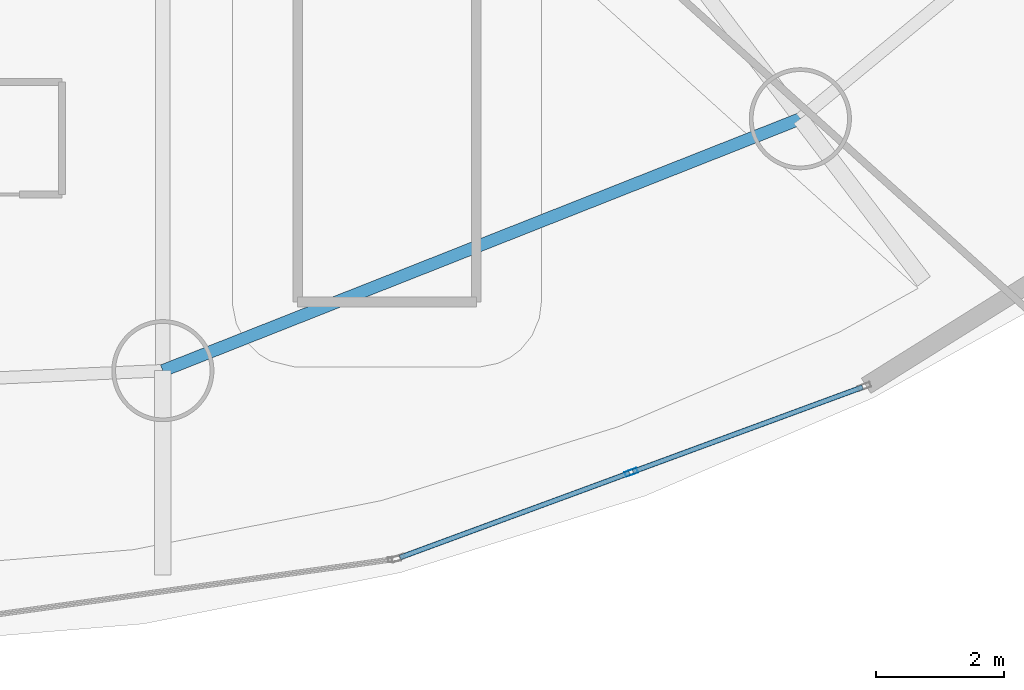
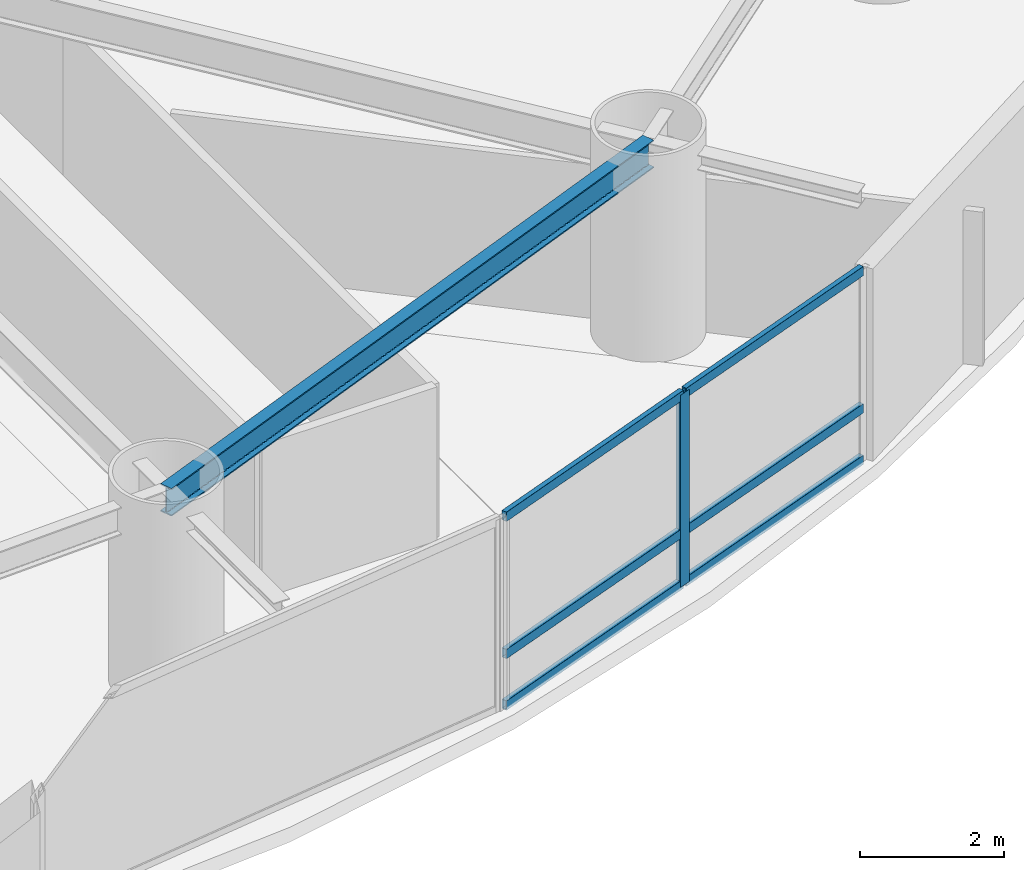
# One storey, part 9 of 30: 7 members, 1 beam, 1 element without a shape of its own.
"""IFC4 building model written with IfcOpenShell, lengths in metres."""

import ifcopenshell
import ifcopenshell.guid

model = None  # the IFC model being written
_history = None  # IfcOwnerHistory: only IFC2X3 demands one
_inside = {}  # id of a spatial element -> (the spatial element, [elements in it])
_under = {}  # id of a project, library or spatial element -> (it, [spatial elements below it])
_declared = {}  # id of a project -> (the project, [libraries it declares])
_typed = {}  # id of a type object -> (the type object, [elements of that type])
_made_of = {}  # id of a material, layer set ... -> (it, [elements and type objects made of it])


def new_model(schema):
    """Start an empty IFC model of exactly this schema.

    Asked for "IFC4X3", IfcOpenShell would pick the latest addendum, in which some entities
    have other attributes; the version numbers below select the first issue.
    IFC2X3 requires an IfcOwnerHistory on every rooted entity: one is made here for all.
    """
    global model, _history
    if schema == "IFC4X3":
        model = ifcopenshell.file(schema_version=(4, 3, 0, 0))
    else:
        model = ifcopenshell.file(schema=schema)
    _inside.clear()
    _under.clear()
    _declared.clear()
    _typed.clear()
    _made_of.clear()
    _history = None
    if model.schema == "IFC2X3":
        org = make("IfcOrganization", Name="unknown")
        user = make(
            "IfcPersonAndOrganization",
            ThePerson=make("IfcPerson", FamilyName="unknown"),
            TheOrganization=org,
        )
        app = make(
            "IfcApplication",
            ApplicationDeveloper=org,
            Version="unknown",
            ApplicationFullName="unknown",
            ApplicationIdentifier="unknown",
        )
        _history = make(
            "IfcOwnerHistory",
            OwningUser=user,
            OwningApplication=app,
            ChangeAction="ADDED",
            CreationDate=0,
        )
    return model


def make(cls, **values):
    """One entity of the class cls with the attributes given. An attribute that is None is left unset."""
    return model.create_entity(
        cls, **{name: value for name, value in values.items() if value is not None}
    )


def rooted(cls, **values):
    """An entity with a GlobalId (a new one), such as an element, a storey or a relation."""
    return make(cls, GlobalId=ifcopenshell.guid.new(), OwnerHistory=_history, **values)


def si_unit(unit_type, name, prefix=None):
    """IfcSIUnit, for example si_unit("LENGTHUNIT", "METRE", prefix="MILLI")."""
    return make("IfcSIUnit", UnitType=unit_type, Prefix=prefix, Name=name)


def assignment(units):
    """IfcUnitAssignment: the units of a project."""
    return None if units is None else make("IfcUnitAssignment", Units=units)


def point(xyz):
    """IfcCartesianPoint."""
    return None if xyz is None else make("IfcCartesianPoint", Coordinates=xyz)


def direction(xyz):
    """IfcDirection."""
    return None if xyz is None else make("IfcDirection", DirectionRatios=xyz)


def frame(location, z_axis=None, x_axis=None):
    """IfcAxis2Placement3D, a coordinate frame: its origin and axes. An axis left out is left unset."""
    return make(
        "IfcAxis2Placement3D",
        Location=point(location),
        Axis=direction(z_axis),
        RefDirection=direction(x_axis),
    )


def frame_2d(location, x_axis=None):
    """IfcAxis2Placement2D, a coordinate frame in the plane: its origin and x axis."""
    return make(
        "IfcAxis2Placement2D", Location=point(location), RefDirection=direction(x_axis)
    )


def origin():
    """The frame at (0, 0, 0) with its axes left unset."""
    return frame((0.0, 0.0, 0.0))


def origin_2d():
    """The frame at (0, 0) in the plane with its x axis left unset."""
    return frame_2d((0.0, 0.0))


def place(relative_to, where):
    """IfcLocalPlacement: puts the frame where relative to a parent placement (None: the world)."""
    return make(
        "IfcLocalPlacement", PlacementRelTo=relative_to, RelativePlacement=where
    )


def context(
    kind, dimensions, precision=None, world=None, true_north=None, identifier=None
):
    """IfcGeometricRepresentationContext, for example the 3D "Model" context."""
    return make(
        "IfcGeometricRepresentationContext",
        ContextIdentifier=identifier,
        ContextType=kind,
        CoordinateSpaceDimension=dimensions,
        Precision=precision,
        WorldCoordinateSystem=world,
        TrueNorth=true_north,
    )


def subcontext(parent, identifier, kind, view, scale=None):
    """IfcGeometricRepresentationSubContext, for example "Body" below "Model"."""
    return make(
        "IfcGeometricRepresentationSubContext",
        ContextIdentifier=identifier,
        ContextType=kind,
        ParentContext=parent,
        TargetScale=scale,
        TargetView=view,
    )


def project(units=None, contexts=None):
    """IfcProject with its units and contexts."""
    return rooted(
        "IfcProject",
        Name="project",
        RepresentationContexts=contexts,
        UnitsInContext=assignment(units),
    )


def spatial(cls, under=None, at=None, **own):
    """A site, building, storey or space (cls), placed at a placement, below another one or the project."""
    s = rooted(cls, ObjectPlacement=at, **own)
    if under is not None:
        _under.setdefault(under.id(), (under, []))[1].append(s)
    return s


def profile(cls, at=None, kind="AREA", **sizes):
    """A parametric profile (cls). Its sizes go by their IFC names, for example OverallWidth=200.0."""
    return make(cls, ProfileType=kind, Position=at, **sizes)


def hollow_rectangle(**sizes):
    """IfcRectangleHollowProfileDef."""
    return profile("IfcRectangleHollowProfileDef", **sizes)


def i_section(**sizes):
    """IfcIShapeProfileDef."""
    return profile("IfcIShapeProfileDef", **sizes)


def extrude(swept, where, along, depth):
    """IfcExtrudedAreaSolid: the profile swept, set in the frame where, extruded along a direction by depth."""
    return make(
        "IfcExtrudedAreaSolid",
        SweptArea=swept,
        Position=where,
        ExtrudedDirection=direction(along),
        Depth=depth,
    )


def shape(context_of_items, identifier, shape_type, items):
    """IfcShapeRepresentation: the items that make up one representation, for example the "Body"."""
    return make(
        "IfcShapeRepresentation",
        ContextOfItems=context_of_items,
        RepresentationIdentifier=identifier,
        RepresentationType=shape_type,
        Items=items,
    )


def material(Name=None, Category=None):
    """IfcMaterial."""
    return make("IfcMaterial", Name=Name, Category=Category)


def layer(
    of_material, thickness, ventilated=None, Name=None, Category=None, Priority=None
):
    """IfcMaterialLayer: one layer of a wall or slab, of a material (None: an air gap)."""
    return make(
        "IfcMaterialLayer",
        Material=of_material,
        LayerThickness=thickness,
        IsVentilated=ventilated,
        Name=Name,
        Category=Category,
        Priority=Priority,
    )


def layer_set(layers, Name=None):
    """IfcMaterialLayerSet."""
    return make("IfcMaterialLayerSet", MaterialLayers=layers, LayerSetName=Name)


def material_profile(
    of_material, cross_section, Name=None, Category=None, Priority=None
):
    """IfcMaterialProfile: a cross section and its material."""
    return make(
        "IfcMaterialProfile",
        Name=Name,
        Material=of_material,
        Profile=cross_section,
        Priority=Priority,
        Category=Category,
    )


def profile_set(profiles, Name=None, composite=None):
    """IfcMaterialProfileSet."""
    return make(
        "IfcMaterialProfileSet",
        Name=Name,
        MaterialProfiles=profiles,
        CompositeProfile=composite,
    )


def made_of(thing, what):
    """Note that an element or type object is made of a material, layer set ...; save() writes the relation."""
    if what is not None:
        _made_of.setdefault(what.id(), (what, []))[1].append(thing)
    return thing


def type_object(cls, material=None, **own):
    """A type object (cls), such as IfcWallType, which elements share."""
    return made_of(rooted(cls, **own), material)


def element(
    cls,
    number,
    at=None,
    inside=None,
    cuts=None,
    type_object=None,
    material=None,
    context=None,
    identifier="Body",
    shape_type=None,
    held_by="IfcProductDefinitionShape",
    body=None,
    shapes=None,
    **own,
):
    """One element of the class cls, such as IfcWall. Its Tag is "e" and its number.

    at: its placement. inside: the storey or other place that contains it. cuts: it is an
    opening in that element (IfcRelVoidsElement). A single representation is given by context,
    identifier, shape_type and body (its items); several are given by shapes. held_by: the class
    of the entity that holds the representations. save() writes the other relations.
    """
    e = rooted(cls, Tag="e%d" % number, ObjectPlacement=at, **own)
    if body is not None:
        shapes = [shape(context, identifier, shape_type, body)]
    if shapes is not None:
        e.Representation = make(held_by, Representations=shapes)
    if inside is not None:
        _inside.setdefault(inside.id(), (inside, []))[1].append(e)
    if cuts is not None:
        rooted(
            "IfcRelVoidsElement", RelatingBuildingElement=cuts, RelatedOpeningElement=e
        )
    if type_object is not None:
        _typed.setdefault(type_object.id(), (type_object, []))[1].append(e)
    return made_of(e, material)


def aggregate(whole, parts):
    """IfcRelAggregates: a whole, such as a stair, and the parts it consists of."""
    return rooted("IfcRelAggregates", RelatingObject=whole, RelatedObjects=parts)


def save(model, path):
    """Write the relations noted so far, then the file.

    IfcRelAggregates (storeys below a building ...), IfcRelContainedInSpatialStructure (elements
    in a storey), IfcRelDefinesByType, IfcRelAssociatesMaterial and IfcRelDeclares: one each for
    every whole, place, type object, material and project.
    """
    for whole, parts in _under.values():
        aggregate(whole, parts)
    for where, things in _inside.values():
        rooted(
            "IfcRelContainedInSpatialStructure",
            RelatedElements=things,
            RelatingStructure=where,
        )
    for kind, things in _typed.values():
        rooted("IfcRelDefinesByType", RelatedObjects=things, RelatingType=kind)
    for what, things in _made_of.values():
        rooted("IfcRelAssociatesMaterial", RelatedObjects=things, RelatingMaterial=what)
    for by, libraries in _declared.values():
        rooted("IfcRelDeclares", RelatingContext=by, RelatedDefinitions=libraries)
    model.write(path)


model = new_model("IFC4")

# Units and contexts
model_context = context("Model", 3, precision=1e-05, world=origin(), true_north=direction((0.0, 1.0)))
body_context = subcontext(model_context, "Body", "Model", "MODEL_VIEW")
ifc_project = project(units=[si_unit("LENGTHUNIT", "METRE"), si_unit("AREAUNIT", "SQUARE_METRE"), si_unit("VOLUMEUNIT", "CUBIC_METRE"), si_unit("PLANEANGLEUNIT", "RADIAN"), si_unit("MASSUNIT", "GRAM", prefix="KILO")], contexts=[model_context])

# Site, building, storey
site_placement = place(None, origin())
site = spatial("IfcSite", under=ifc_project, at=site_placement, CompositionType="ELEMENT")
building_placement = place(site_placement, origin())
building = spatial("IfcBuilding", under=site, at=building_placement, Name="Bramvorn Convention Spire", CompositionType="ELEMENT")
storey_placement = place(building_placement, frame((0.0, 0.0, 86.89990234375)))
storey = spatial("IfcBuildingStorey", under=building, at=storey_placement, Name="L20", CompositionType="ELEMENT", Elevation=86.89990234375)

# Beam
ifc_material_1 = material(Name="Steel CSA G40.21 Grade 350 (350W)", Category="steel")
ifc_material_profile_1 = material_profile(ifc_material_1, i_section(OverallWidth=0.194091796875, OverallDepth=0.468994140625, WebThickness=0.0126953125, FlangeThickness=0.0205078125, FilletRadius=0.01806640625, at=origin_2d()))
ifc_profile_set_1 = profile_set([ifc_material_profile_1], Name="Steel CSA G40.21 Grade 350 (350W) - W460X106")
beam_type = type_object("IfcBeamType", Name="BM-W460X106", PredefinedType="SPANDREL", material=ifc_profile_set_1)
beam_placement = place(storey_placement, frame((46.23779296875, 5.42333984375, 3.015625), z_axis=(0.93000950609, 0.367535465749, 0.0), x_axis=(-0.367535465749, 0.93000950609, 0.0)))
element("IfcBeam", 1, at=beam_placement, inside=storey, type_object=beam_type, Name="L20 mega-column ring beam 14", PredefinedType="SPANDREL", context=body_context, shape_type="SweptSolid", body=[
    extrude(i_section(OverallWidth=0.194091796875, OverallDepth=0.468994140625, WebThickness=0.0126953125, FlangeThickness=0.0205078125, FilletRadius=0.01806640625, at=origin_2d()), origin(), (0.0, 0.0, 1.0), 10.74169921875),
])

# Curtain wall, members
ifc_material_2 = material(Name="Anodised Bronze Unitised Curtain Wall", Category="aluminium")
ifc_layer = layer(ifc_material_2, 0.179931640625)
ifc_layer_set = layer_set([ifc_layer], Name="Anodised Bronze Unitised Curtain Wall - CW-HTL-FRIT")
curtain_wall_type = type_object("IfcCurtainWallType", Name="CW-HTL-FRIT", PredefinedType="USERDEFINED", material=ifc_layer_set)
curtain_wall_placement = place(storey_placement, origin())
curtain_wall = element("IfcCurtainWall", 2, at=curtain_wall_placement, inside=storey, type_object=curtain_wall_type, Name="L20 fritted glass curtain wall 21", ObjectType="UNITISED CURTAIN WALL", PredefinedType="USERDEFINED")
ifc_material_3 = material(Name="Anodised Bronze Aluminium 6063-T6", Category="aluminium")
ifc_material_profile_2 = material_profile(ifc_material_3, hollow_rectangle(XDim=0.080078125, YDim=0.199951171875, WallThickness=0.00390625, InnerFilletRadius=0.0009765625, OuterFilletRadius=0.00390625, at=origin_2d()))
ifc_profile_set_2 = profile_set([ifc_material_profile_2], Name="Anodised Bronze Aluminium 6063-T6 - CWM80X200")
member_type_1 = type_object("IfcMemberType", Name="CW-MUL-180", PredefinedType="MULLION", material=ifc_profile_set_2)
member_1_placement = place(storey_placement, frame((53.577880859375, 3.830810546875, 0.0), z_axis=(0.0, 0.0, 1.0), x_axis=(0.345574215647, -0.938391422318, 0.0)))
member_1 = element("IfcMember", 3, at=member_1_placement, type_object=member_type_1, Name="CW2 mullion 2", PredefinedType="MULLION", context=body_context, shape_type="SweptSolid", body=[
    extrude(hollow_rectangle(XDim=0.080078125, YDim=0.199951171875, WallThickness=0.00390625, InnerFilletRadius=0.0009765625, OuterFilletRadius=0.00390625, at=origin_2d()), origin(), (0.0, 0.0, 1.0), 3.25),
])
ifc_material_profile_3 = material_profile(ifc_material_3, hollow_rectangle(XDim=0.080078125, YDim=0.159912109375, WallThickness=0.00390625, InnerFilletRadius=0.0009765625, OuterFilletRadius=0.00390625, at=origin_2d()))
ifc_profile_set_3 = profile_set([ifc_material_profile_3], Name="Anodised Bronze Aluminium 6063-T6 - CWT80X160")
member_type_2 = type_object("IfcMemberType", Name="CW-TRN-150", PredefinedType="USERDEFINED", material=ifc_profile_set_3)
member_2_placement = place(storey_placement, frame((57.202392578125, 5.16552734375, 0.030029296875), z_axis=(-0.938381179015, -0.34560202961, 0.0), x_axis=(0.34560202961, -0.938381179015, 0.0)))
member_2 = element("IfcMember", 4, at=member_2_placement, type_object=member_type_2, Name="CW2 transom 1.1", ObjectType="TRANSOM", PredefinedType="USERDEFINED", context=body_context, shape_type="SweptSolid", body=[
    extrude(hollow_rectangle(XDim=0.080078125, YDim=0.159912109375, WallThickness=0.00390625, InnerFilletRadius=0.0009765625, OuterFilletRadius=0.00390625, at=origin_2d()), origin(), (0.0, 0.0, 1.0), 3.832275390625),
])
member_3_placement = place(storey_placement, frame((57.202392578125, 5.16552734375, 0.900146484375), z_axis=(-0.938381179015, -0.34560202961, 0.0), x_axis=(0.34560202961, -0.938381179015, 0.0)))
member_3 = element("IfcMember", 5, at=member_3_placement, type_object=member_type_2, Name="CW2 transom 1.2", ObjectType="TRANSOM", PredefinedType="USERDEFINED", context=body_context, shape_type="SweptSolid", body=[
    extrude(hollow_rectangle(XDim=0.080078125, YDim=0.159912109375, WallThickness=0.00390625, InnerFilletRadius=0.0009765625, OuterFilletRadius=0.00390625, at=origin_2d()), origin(), (0.0, 0.0, 1.0), 3.832275390625),
])
member_4_placement = place(storey_placement, frame((57.202392578125, 5.16552734375, 3.22021484375), z_axis=(-0.938381179015, -0.34560202961, 0.0), x_axis=(0.34560202961, -0.938381179015, 0.0)))
member_4 = element("IfcMember", 6, at=member_4_placement, type_object=member_type_2, Name="CW2 transom 1.3", ObjectType="TRANSOM", PredefinedType="USERDEFINED", context=body_context, shape_type="SweptSolid", body=[
    extrude(hollow_rectangle(XDim=0.080078125, YDim=0.159912109375, WallThickness=0.00390625, InnerFilletRadius=0.0009765625, OuterFilletRadius=0.00390625, at=origin_2d()), origin(), (0.0, 0.0, 1.0), 3.832275390625),
])
member_5_placement = place(storey_placement, frame((53.5498046875, 3.8203125, 0.030029296875), z_axis=(-0.938381179015, -0.34560202961, 0.0), x_axis=(0.34560202961, -0.938381179015, 0.0)))
member_5 = element("IfcMember", 7, at=member_5_placement, type_object=member_type_2, Name="CW2 transom 2.1", ObjectType="TRANSOM", PredefinedType="USERDEFINED", context=body_context, shape_type="SweptSolid", body=[
    extrude(hollow_rectangle(XDim=0.080078125, YDim=0.159912109375, WallThickness=0.00390625, InnerFilletRadius=0.0009765625, OuterFilletRadius=0.00390625, at=origin_2d()), origin(), (0.0, 0.0, 1.0), 3.832275390625),
])
member_6_placement = place(storey_placement, frame((53.5498046875, 3.8203125, 0.900146484375), z_axis=(-0.938381179015, -0.34560202961, 0.0), x_axis=(0.34560202961, -0.938381179015, 0.0)))
member_6 = element("IfcMember", 8, at=member_6_placement, type_object=member_type_2, Name="CW2 transom 2.2", ObjectType="TRANSOM", PredefinedType="USERDEFINED", context=body_context, shape_type="SweptSolid", body=[
    extrude(hollow_rectangle(XDim=0.080078125, YDim=0.159912109375, WallThickness=0.00390625, InnerFilletRadius=0.0009765625, OuterFilletRadius=0.00390625, at=origin_2d()), origin(), (0.0, 0.0, 1.0), 3.832275390625),
])
member_7_placement = place(storey_placement, frame((53.5498046875, 3.8203125, 3.22021484375), z_axis=(-0.938381179015, -0.34560202961, 0.0), x_axis=(0.34560202961, -0.938381179015, 0.0)))
member_7 = element("IfcMember", 9, at=member_7_placement, type_object=member_type_2, Name="CW2 transom 2.3", ObjectType="TRANSOM", PredefinedType="USERDEFINED", context=body_context, shape_type="SweptSolid", body=[
    extrude(hollow_rectangle(XDim=0.080078125, YDim=0.159912109375, WallThickness=0.00390625, InnerFilletRadius=0.0009765625, OuterFilletRadius=0.00390625, at=origin_2d()), origin(), (0.0, 0.0, 1.0), 3.832275390625),
])
aggregate(curtain_wall, [member_1, member_2, member_3, member_4, member_5, member_6, member_7])

save(model, "model.ifc")
